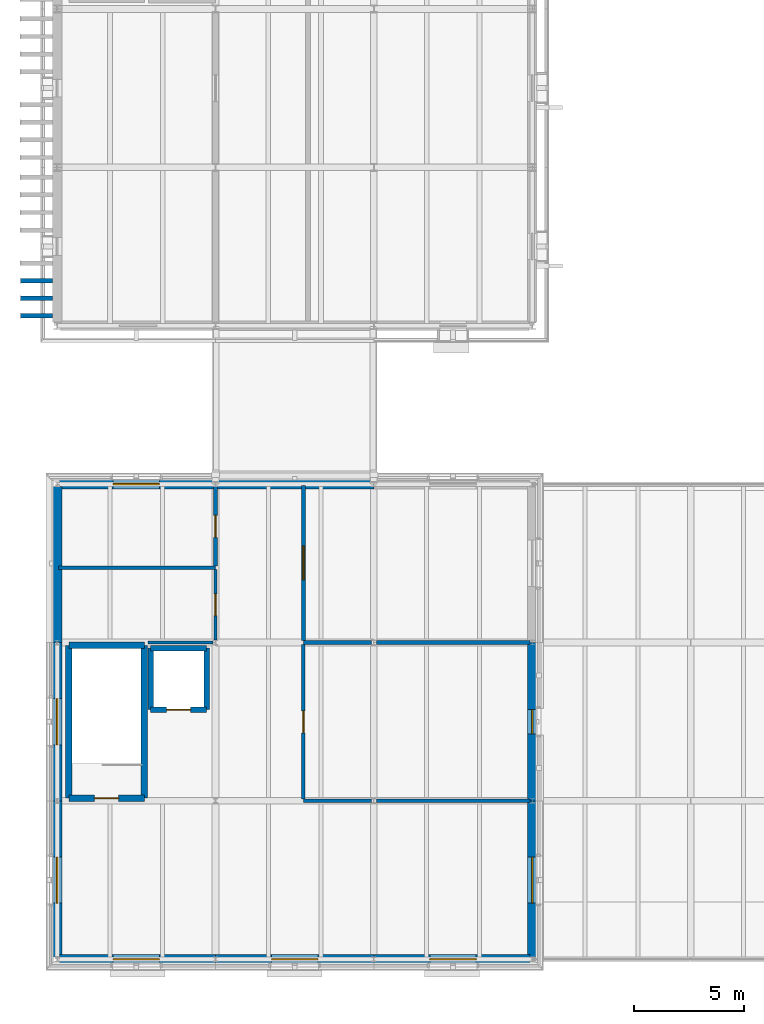
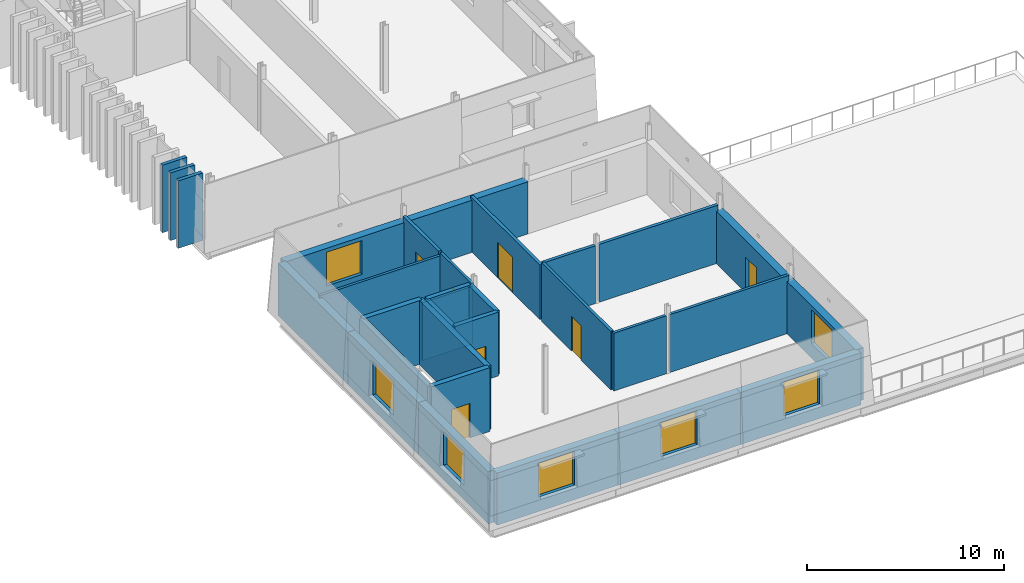
# One storey, part 65 of 115: 31 walls, 7 doors, 7 windows, 14 openings.
"""IFC4 building model written with IfcOpenShell, lengths in metres."""

import ifcopenshell
import ifcopenshell.guid

model = None  # the IFC model being written
_history = None  # IfcOwnerHistory: only IFC2X3 demands one
_inside = {}  # id of a spatial element -> (the spatial element, [elements in it])
_under = {}  # id of a project, library or spatial element -> (it, [spatial elements below it])
_declared = {}  # id of a project -> (the project, [libraries it declares])
_typed = {}  # id of a type object -> (the type object, [elements of that type])
_made_of = {}  # id of a material, layer set ... -> (it, [elements and type objects made of it])


def new_model(schema):
    """Start an empty IFC model of exactly this schema.

    Asked for "IFC4X3", IfcOpenShell would pick the latest addendum, in which some entities
    have other attributes; the version numbers below select the first issue.
    IFC2X3 requires an IfcOwnerHistory on every rooted entity: one is made here for all.
    """
    global model, _history
    if schema == "IFC4X3":
        model = ifcopenshell.file(schema_version=(4, 3, 0, 0))
    else:
        model = ifcopenshell.file(schema=schema)
    _inside.clear()
    _under.clear()
    _declared.clear()
    _typed.clear()
    _made_of.clear()
    _history = None
    if model.schema == "IFC2X3":
        org = make("IfcOrganization", Name="unknown")
        user = make(
            "IfcPersonAndOrganization",
            ThePerson=make("IfcPerson", FamilyName="unknown"),
            TheOrganization=org,
        )
        app = make(
            "IfcApplication",
            ApplicationDeveloper=org,
            Version="unknown",
            ApplicationFullName="unknown",
            ApplicationIdentifier="unknown",
        )
        _history = make(
            "IfcOwnerHistory",
            OwningUser=user,
            OwningApplication=app,
            ChangeAction="ADDED",
            CreationDate=0,
        )
    return model


def make(cls, **values):
    """One entity of the class cls with the attributes given. An attribute that is None is left unset."""
    return model.create_entity(
        cls, **{name: value for name, value in values.items() if value is not None}
    )


def rooted(cls, **values):
    """An entity with a GlobalId (a new one), such as an element, a storey or a relation."""
    return make(cls, GlobalId=ifcopenshell.guid.new(), OwnerHistory=_history, **values)


def si_unit(unit_type, name, prefix=None):
    """IfcSIUnit, for example si_unit("LENGTHUNIT", "METRE", prefix="MILLI")."""
    return make("IfcSIUnit", UnitType=unit_type, Prefix=prefix, Name=name)


def assignment(units):
    """IfcUnitAssignment: the units of a project."""
    return None if units is None else make("IfcUnitAssignment", Units=units)


def point(xyz):
    """IfcCartesianPoint."""
    return None if xyz is None else make("IfcCartesianPoint", Coordinates=xyz)


def direction(xyz):
    """IfcDirection."""
    return None if xyz is None else make("IfcDirection", DirectionRatios=xyz)


def frame(location, z_axis=None, x_axis=None):
    """IfcAxis2Placement3D, a coordinate frame: its origin and axes. An axis left out is left unset."""
    return make(
        "IfcAxis2Placement3D",
        Location=point(location),
        Axis=direction(z_axis),
        RefDirection=direction(x_axis),
    )


def frame_2d(location, x_axis=None):
    """IfcAxis2Placement2D, a coordinate frame in the plane: its origin and x axis."""
    return make(
        "IfcAxis2Placement2D", Location=point(location), RefDirection=direction(x_axis)
    )


def origin():
    """The frame at (0, 0, 0) with its axes left unset."""
    return frame((0.0, 0.0, 0.0))


def place(relative_to, where):
    """IfcLocalPlacement: puts the frame where relative to a parent placement (None: the world)."""
    return make(
        "IfcLocalPlacement", PlacementRelTo=relative_to, RelativePlacement=where
    )


def context(
    kind, dimensions, precision=None, world=None, true_north=None, identifier=None
):
    """IfcGeometricRepresentationContext, for example the 3D "Model" context."""
    return make(
        "IfcGeometricRepresentationContext",
        ContextIdentifier=identifier,
        ContextType=kind,
        CoordinateSpaceDimension=dimensions,
        Precision=precision,
        WorldCoordinateSystem=world,
        TrueNorth=true_north,
    )


def subcontext(parent, identifier, kind, view, scale=None):
    """IfcGeometricRepresentationSubContext, for example "Body" below "Model"."""
    return make(
        "IfcGeometricRepresentationSubContext",
        ContextIdentifier=identifier,
        ContextType=kind,
        ParentContext=parent,
        TargetScale=scale,
        TargetView=view,
    )


def project(units=None, contexts=None):
    """IfcProject with its units and contexts."""
    return rooted(
        "IfcProject",
        Name="project",
        RepresentationContexts=contexts,
        UnitsInContext=assignment(units),
    )


def spatial(cls, under=None, at=None, **own):
    """A site, building, storey or space (cls), placed at a placement, below another one or the project."""
    s = rooted(cls, ObjectPlacement=at, **own)
    if under is not None:
        _under.setdefault(under.id(), (under, []))[1].append(s)
    return s


def profile(cls, at=None, kind="AREA", **sizes):
    """A parametric profile (cls). Its sizes go by their IFC names, for example OverallWidth=200.0."""
    return make(cls, ProfileType=kind, Position=at, **sizes)


def rectangle(**sizes):
    """IfcRectangleProfileDef."""
    return profile("IfcRectangleProfileDef", **sizes)


def extrude(swept, where, along, depth):
    """IfcExtrudedAreaSolid: the profile swept, set in the frame where, extruded along a direction by depth."""
    return make(
        "IfcExtrudedAreaSolid",
        SweptArea=swept,
        Position=where,
        ExtrudedDirection=direction(along),
        Depth=depth,
    )


def shape(context_of_items, identifier, shape_type, items):
    """IfcShapeRepresentation: the items that make up one representation, for example the "Body"."""
    return make(
        "IfcShapeRepresentation",
        ContextOfItems=context_of_items,
        RepresentationIdentifier=identifier,
        RepresentationType=shape_type,
        Items=items,
    )


def material(Name=None, Category=None):
    """IfcMaterial."""
    return make("IfcMaterial", Name=Name, Category=Category)


def layer(
    of_material, thickness, ventilated=None, Name=None, Category=None, Priority=None
):
    """IfcMaterialLayer: one layer of a wall or slab, of a material (None: an air gap)."""
    return make(
        "IfcMaterialLayer",
        Material=of_material,
        LayerThickness=thickness,
        IsVentilated=ventilated,
        Name=Name,
        Category=Category,
        Priority=Priority,
    )


def layer_set(layers, Name=None):
    """IfcMaterialLayerSet."""
    return make("IfcMaterialLayerSet", MaterialLayers=layers, LayerSetName=Name)


def made_of(thing, what):
    """Note that an element or type object is made of a material, layer set ...; save() writes the relation."""
    if what is not None:
        _made_of.setdefault(what.id(), (what, []))[1].append(thing)
    return thing


def type_object(cls, material=None, **own):
    """A type object (cls), such as IfcWallType, which elements share."""
    return made_of(rooted(cls, **own), material)


def element(
    cls,
    number,
    at=None,
    inside=None,
    cuts=None,
    type_object=None,
    material=None,
    context=None,
    identifier="Body",
    shape_type=None,
    held_by="IfcProductDefinitionShape",
    body=None,
    shapes=None,
    **own,
):
    """One element of the class cls, such as IfcWall. Its Tag is "e" and its number.

    at: its placement. inside: the storey or other place that contains it. cuts: it is an
    opening in that element (IfcRelVoidsElement). A single representation is given by context,
    identifier, shape_type and body (its items); several are given by shapes. held_by: the class
    of the entity that holds the representations. save() writes the other relations.
    """
    e = rooted(cls, Tag="e%d" % number, ObjectPlacement=at, **own)
    if body is not None:
        shapes = [shape(context, identifier, shape_type, body)]
    if shapes is not None:
        e.Representation = make(held_by, Representations=shapes)
    if inside is not None:
        _inside.setdefault(inside.id(), (inside, []))[1].append(e)
    if cuts is not None:
        rooted(
            "IfcRelVoidsElement", RelatingBuildingElement=cuts, RelatedOpeningElement=e
        )
    if type_object is not None:
        _typed.setdefault(type_object.id(), (type_object, []))[1].append(e)
    return made_of(e, material)


def fill(opening, filler):
    """IfcRelFillsElement: the door or window that sits in an opening."""
    return rooted(
        "IfcRelFillsElement",
        RelatingOpeningElement=opening,
        RelatedBuildingElement=filler,
    )


def aggregate(whole, parts):
    """IfcRelAggregates: a whole, such as a stair, and the parts it consists of."""
    return rooted("IfcRelAggregates", RelatingObject=whole, RelatedObjects=parts)


def save(model, path):
    """Write the relations noted so far, then the file.

    IfcRelAggregates (storeys below a building ...), IfcRelContainedInSpatialStructure (elements
    in a storey), IfcRelDefinesByType, IfcRelAssociatesMaterial and IfcRelDeclares: one each for
    every whole, place, type object, material and project.
    """
    for whole, parts in _under.values():
        aggregate(whole, parts)
    for where, things in _inside.values():
        rooted(
            "IfcRelContainedInSpatialStructure",
            RelatedElements=things,
            RelatingStructure=where,
        )
    for kind, things in _typed.values():
        rooted("IfcRelDefinesByType", RelatedObjects=things, RelatingType=kind)
    for what, things in _made_of.values():
        rooted("IfcRelAssociatesMaterial", RelatedObjects=things, RelatingMaterial=what)
    for by, libraries in _declared.values():
        rooted("IfcRelDeclares", RelatingContext=by, RelatedDefinitions=libraries)
    model.write(path)


model = new_model("IFC4")

# Units and contexts
model_context = context("Model", 3, precision=1e-05, world=origin(), true_north=direction((0.0, 1.0)))
body_context = subcontext(model_context, "Body", "Model", "MODEL_VIEW")
ifc_project = project(units=[si_unit("LENGTHUNIT", "METRE"), si_unit("AREAUNIT", "SQUARE_METRE"), si_unit("VOLUMEUNIT", "CUBIC_METRE"), si_unit("PLANEANGLEUNIT", "RADIAN"), si_unit("MASSUNIT", "GRAM", prefix="KILO")], contexts=[model_context])

# Site, building, storey
site_placement = place(None, origin())
site = spatial("IfcSite", under=ifc_project, at=site_placement, CompositionType="ELEMENT")
building_placement = place(site_placement, origin())
building = spatial("IfcBuilding", under=site, at=building_placement, Name="Narikvali Park Central Library", CompositionType="ELEMENT")
storey_placement = place(building_placement, frame((0.0, 0.0, 10.199951171875)))
storey = spatial("IfcBuildingStorey", under=building, at=storey_placement, Name="L02", CompositionType="ELEMENT", Elevation=10.199951171875)

# Walls
ifc_material_1 = material(Name="Kiln-Fired Terracotta Red Brick Masonry", Category="masonry")
ifc_layer_1 = layer(ifc_material_1, 0.199951171875, Name="Kiln-Fired Terracotta Red Brick Masonry")
ifc_layer_set_1 = layer_set([ifc_layer_1], Name="Kiln-Fired Terracotta Red Brick Masonry")
wall_type_1 = type_object("IfcWallType", Name="Kiln-Fired Red Brick Vertical Fin Wall 200", PredefinedType="SOLIDWALL", material=ifc_layer_set_1)
for number, where, z_axis, x_axis, name in (
    (1, (-1.659912109375, 29.25, 0.0), (0.0, 0.0, 1.0), (1.0, 0.0, 0.0), "West Stacks Red Brick Vertical Fin Pier 003"),
    (2, (-1.659912109375, 30.050048828125, 0.0), (0.0, 0.0, 1.0), (1.0, 0.0, 0.0), "West Stacks Red Brick Vertical Fin Pier 007"),
    (3, (-1.659912109375, 30.85009765625, 0.0), (0.0, 0.0, 1.0), (1.0, 0.0, 0.0), "West Stacks Red Brick Vertical Fin Pier 011"),
):
    element("IfcWall", number, at=place(storey_placement, frame(where, z_axis=z_axis, x_axis=x_axis)), inside=storey, type_object=wall_type_1, Name=name, PredefinedType="SOLIDWALL", context=body_context, shape_type="SweptSolid", body=[
        extrude(rectangle(XDim=1.43994140625, YDim=0.199951171875, at=frame_2d((0.719970703125, 0.0))), origin(), (0.0, 0.0, 1.0), 4.199951171875),
    ])
ifc_material_2 = material(Name="Moisture-Resistant Cement Board on Steel Studs", Category="steel")
ifc_layer_2 = layer(ifc_material_2, 0.14990234375, Name="Moisture-Resistant Cement Board on Steel Studs")
ifc_layer_set_2 = layer_set([ifc_layer_2], Name="Moisture-Resistant Cement Board on Steel Studs")
wall_type_2 = type_object("IfcWallType", Name="Moisture-Resistant WC Partition 150", PredefinedType="PARTITIONING", material=ifc_layer_set_2)
wall_1_placement = place(storey_placement, frame((4.1220703125, 14.39990234375, 0.0), z_axis=(0.0, 0.0, 1.0), x_axis=(1.0, 0.0, 0.0)))
element("IfcWall", 4, at=wall_1_placement, inside=storey, type_object=wall_type_2, Name="Children Terrace Accessible WC L02 Partition S", PredefinedType="PARTITIONING", context=body_context, shape_type="SweptSolid", body=[
    extrude(rectangle(XDim=2.9638671875, YDim=0.14990234375, at=frame_2d((1.48193359375, 0.0))), origin(), (0.0, 0.0, 1.0), 3.594970703125),
])
wall_2_placement = place(storey_placement, frame((0.054931640625, 17.800048828125, 0.0), z_axis=(0.0, 0.0, 1.0), x_axis=(1.0, 0.0, 0.0)))
element("IfcWall", 5, at=wall_2_placement, inside=storey, type_object=wall_type_2, Name="Children Terrace Accessible WC L02 Partition N", PredefinedType="PARTITIONING", context=body_context, shape_type="SweptSolid", body=[
    extrude(rectangle(XDim=7.14501953125, YDim=0.14990234375, at=frame_2d((3.572509765625, 0.0))), origin(), (0.0, 0.0, 1.0), 3.39501953125),
])

# Wall, opening, door
wall_3_placement = place(storey_placement, frame((7.199951171875, 14.513916015625, 0.0), z_axis=(0.0, 0.0, 1.0), x_axis=(0.0, 1.0, 0.0)))
wall_3 = element("IfcWall", 6, at=wall_3_placement, inside=storey, type_object=wall_type_2, Name="Children Terrace Accessible WC L02 Partition E", PredefinedType="PARTITIONING", context=body_context, shape_type="SweptSolid", body=[
    extrude(rectangle(XDim=3.208984375, YDim=0.14990234375, at=frame_2d((1.6044921875, 0.0))), origin(), (0.0, 0.0, 1.0), 3.594970703125),
])
opening_1_placement = place(wall_3_placement, frame((1.114501953125, 0.0, 0.0)))
opening_1 = element("IfcOpeningElement", 7, at=opening_1_placement, cuts=wall_3, Name="Opening ID-0007", PredefinedType="OPENING", context=body_context, shape_type="SweptSolid", body=[
    extrude(rectangle(XDim=0.97998046875, YDim=2.10009765625, at=frame_2d((0.489990234375, 1.050048828125))), frame((0.0, 0.0869140625, 0.0), z_axis=(0.0, -1.0, 0.0), x_axis=(1.0, 0.0, 0.0)), (0.0, 0.0, 1.0), 0.173828125),
])
ifc_material_3 = material(Name="Laminate Faced Hardwood Core", Category="wood")
door_type_1 = type_object("IfcDoorType", Name="Accessible WC Outward-Opening Door 980x2100", OperationType="SINGLE_SWING_RIGHT", PredefinedType="DOOR", material=ifc_material_3)
door_1_placement = place(opening_1_placement, frame((0.97998046875, 0.0, 0.0), z_axis=(0.0, 0.0, 1.0), x_axis=(-1.0, 0.0, 0.0)))
door_1 = element("IfcDoor", 8, at=door_1_placement, inside=storey, type_object=door_type_1, Name="Children Terrace Accessible WC L02 Door ID-0007", OperationType="SINGLE_SWING_LEFT", OverallHeight=2.10009765625, OverallWidth=0.97998046875, PredefinedType="DOOR", context=body_context, shape_type="SweptSolid", body=[
    extrude(rectangle(XDim=0.97998046875, YDim=2.10009765625, at=frame_2d((0.489990234375, 1.050048828125))), frame((0.0, 0.02490234375, 0.0), z_axis=(0.0, -1.0, 0.0), x_axis=(1.0, 0.0, 0.0)), (0.0, 0.0, 1.0), 0.050048828125),
])
fill(opening_1, door_1)

# Walls
ifc_material_4 = material(Name="Acoustic Gypsum on Steel Studs", Category="steel")
ifc_layer_3 = layer(ifc_material_4, 0.179931640625, Name="Acoustic Gypsum on Steel Studs")
ifc_layer_set_3 = layer_set([ifc_layer_3], Name="Acoustic Gypsum on Steel Studs")
wall_type_3 = type_object("IfcWallType", Name="Reading Room Acoustic Partition 180", PredefinedType="PARTITIONING", material=ifc_layer_set_3)
wall_4_placement = place(storey_placement, frame((11.199951171875, 14.39990234375, 0.0), z_axis=(0.0, 0.0, 1.0), x_axis=(1.0, 0.0, 0.0)))
element("IfcWall", 9, at=wall_4_placement, inside=storey, type_object=wall_type_3, Name="Children Garden Reading Lounge Partition S", PredefinedType="PARTITIONING", context=body_context, shape_type="SweptSolid", body=[
    extrude(rectangle(XDim=3.0859375, YDim=0.179931640625, at=frame_2d((1.54296875, 0.0))), origin(), (0.0, 0.0, 1.0), 3.594970703125),
])
wall_5_placement = place(storey_placement, frame((14.513916015625, 14.39990234375, 0.0), z_axis=(0.0, 0.0, 1.0), x_axis=(1.0, 0.0, 0.0)))
element("IfcWall", 10, at=wall_5_placement, inside=storey, type_object=wall_type_3, Name="Children Garden Reading Lounge Partition S", PredefinedType="PARTITIONING", context=body_context, shape_type="SweptSolid", body=[
    extrude(rectangle(XDim=6.97216796875, YDim=0.179931640625, at=frame_2d((3.486083984375, 0.0))), origin(), (0.0, 0.0, 1.0), 3.594970703125),
])

# Wall, opening, door
wall_6_placement = place(storey_placement, frame((7.199951171875, 17.876953125, 0.0), z_axis=(0.0, 0.0, 1.0), x_axis=(0.0, 1.0, 0.0)))
wall_6 = element("IfcWall", 11, at=wall_6_placement, inside=storey, type_object=wall_type_3, Name="Terrace Cushion and Toy Store Partition E", PredefinedType="PARTITIONING", context=body_context, shape_type="SweptSolid", body=[
    extrude(rectangle(XDim=3.609130859375, YDim=0.179931640625, at=frame_2d((1.8046875, 0.0))), origin(), (0.0, 0.0, 1.0), 3.594970703125),
])
opening_2_placement = place(wall_6_placement, frame((1.304443359375, 0.0, 0.0)))
opening_2 = element("IfcOpeningElement", 12, at=opening_2_placement, cuts=wall_6, Name="Opening ID-0057", PredefinedType="OPENING", context=body_context, shape_type="SweptSolid", body=[
    extrude(rectangle(XDim=1.0, YDim=2.14990234375, at=frame_2d((0.5, 1.074951171875))), frame((0.0, 0.10205078125, 0.0), z_axis=(0.0, -1.0, 0.0), x_axis=(1.0, 0.0, 0.0)), (0.0, 0.0, 1.0), 0.203857421875),
])
ifc_material_5 = material(Name="Solid Caucasian Oak")
door_type_2 = type_object("IfcDoorType", Name="Study Room Single Oak Door 1000x2150", OperationType="SINGLE_SWING_LEFT", PredefinedType="DOOR", material=ifc_material_5)
door_2_placement = place(opening_2_placement, origin())
door_2 = element("IfcDoor", 13, at=door_2_placement, inside=storey, type_object=door_type_2, Name="Terrace Cushion and Toy Store Door ID-0057", OperationType="SINGLE_SWING_LEFT", OverallHeight=2.14990234375, OverallWidth=1.0, PredefinedType="DOOR", context=body_context, shape_type="SweptSolid", body=[
    extrude(rectangle(XDim=1.0, YDim=2.14990234375, at=frame_2d((0.5, 1.074951171875))), frame((0.0, 0.02490234375, 0.0), z_axis=(0.0, -1.0, 0.0), x_axis=(1.0, 0.0, 0.0)), (0.0, 0.0, 1.0), 0.050048828125),
])
fill(opening_2, door_2)

wall_7_placement = place(storey_placement, frame((11.199951171875, 14.491943359375, 0.0), z_axis=(0.0, 0.0, 1.0), x_axis=(0.0, 1.0, 0.0)))
wall_7 = element("IfcWall", 14, at=wall_7_placement, inside=storey, type_object=wall_type_3, Name="Children Garden Reading Lounge Partition W", PredefinedType="PARTITIONING", context=body_context, shape_type="SweptSolid", body=[
    extrude(rectangle(XDim=7.052978515625, YDim=0.179931640625, at=frame_2d((3.5263671875, 0.0))), origin(), (0.0, 0.0, 1.0), 3.39501953125),
])
opening_3_placement = place(wall_7_placement, frame((2.75146484375, 0.0, 0.0)))
opening_3 = element("IfcOpeningElement", 15, at=opening_3_placement, cuts=wall_7, Name="Opening ID-0058", PredefinedType="OPENING", context=body_context, shape_type="SweptSolid", body=[
    extrude(rectangle(XDim=1.550048828125, YDim=2.199951171875, at=frame_2d((0.77490234375, 1.10009765625))), frame((0.0, 0.10205078125, 0.0), z_axis=(0.0, -1.0, 0.0), x_axis=(1.0, 0.0, 0.0)), (0.0, 0.0, 1.0), 0.203857421875),
])
ifc_material_6 = material(Name="Caucasian Oak with Vision Panel")
door_type_3 = type_object("IfcDoorType", Name="Children Library Colourful Oak Door 1550x2200", OperationType="DOUBLE_DOOR_SINGLE_SWING", PredefinedType="DOOR", material=ifc_material_6)
door_3_placement = place(opening_3_placement, frame((1.550048828125, 0.0, 0.0), z_axis=(0.0, 0.0, 1.0), x_axis=(-1.0, 0.0, 0.0)))
door_3 = element("IfcDoor", 16, at=door_3_placement, inside=storey, type_object=door_type_3, Name="Children Garden Reading Lounge Door ID-0058", OperationType="DOUBLE_DOOR_SINGLE_SWING", OverallHeight=2.199951171875, OverallWidth=1.550048828125, PredefinedType="DOOR", context=body_context, shape_type="SweptSolid", body=[
    extrude(rectangle(XDim=1.550048828125, YDim=2.199951171875, at=frame_2d((0.77490234375, 1.10009765625))), frame((0.0, 0.02490234375, 0.0), z_axis=(0.0, -1.0, 0.0), x_axis=(1.0, 0.0, 0.0)), (0.0, 0.0, 1.0), 0.050048828125),
])
fill(opening_3, door_3)

ifc_material_7 = material(Name="Concrete C40/50", Category="concrete")
ifc_layer_4 = layer(ifc_material_7, 0.25, Name="Concrete C40/50")
ifc_layer_set_4 = layer_set([ifc_layer_4], Name="Concrete C40/50")
wall_type_4 = type_object("IfcWallType", Name="Reinforced Concrete Lift Shaft Wall 250", PredefinedType="SHEAR", material=ifc_layer_set_4)
wall_8_placement = place(storey_placement, frame((4.25, 11.35009765625, 0.0), z_axis=(0.0, 0.0, 1.0), x_axis=(1.0, 0.0, 0.0)))
wall_8 = element("IfcWall", 17, at=wall_8_placement, inside=storey, type_object=wall_type_4, Name="L-03 L02 Lift Shaft Wall S", PredefinedType="SHEAR", context=body_context, shape_type="SweptSolid", body=[
    extrude(rectangle(XDim=2.550048828125, YDim=0.25, at=frame_2d((1.27490234375, 0.0))), origin(), (0.0, 0.0, 1.0), 3.9599609375),
])
opening_4_placement = place(wall_8_placement, frame((0.72509765625, 0.0, 0.0)))
opening_4 = element("IfcOpeningElement", 18, at=opening_4_placement, cuts=wall_8, Name="Opening LD-013", PredefinedType="OPENING", context=body_context, shape_type="SweptSolid", body=[
    extrude(rectangle(XDim=1.10009765625, YDim=2.10009765625, at=frame_2d((0.550048828125, 1.050048828125))), frame((0.0, 0.136962890625, 0.0), z_axis=(0.0, -1.0, 0.0), x_axis=(1.0, 0.0, 0.0)), (0.0, 0.0, 1.0), 0.27392578125),
])
ifc_material_8 = material(Name="Brushed Stainless Steel S355", Category="steel")
door_type_4 = type_object("IfcDoorType", Name="Passenger Lift Sliding Landing Door 1100x2100", OperationType="SLIDING_TO_LEFT", PredefinedType="DOOR", material=ifc_material_8)
door_4_placement = place(opening_4_placement, origin())
door_4 = element("IfcDoor", 19, at=door_4_placement, inside=storey, type_object=door_type_4, Name="L-03 L02 Lift Landing Sliding Door LD-013", OperationType="SLIDING_TO_LEFT", OverallHeight=2.10009765625, OverallWidth=1.10009765625, PredefinedType="DOOR", context=body_context, shape_type="SweptSolid", body=[
    extrude(rectangle(XDim=1.10009765625, YDim=2.10009765625, at=frame_2d((0.550048828125, 1.050048828125))), frame((0.0, 0.02490234375, 0.0), z_axis=(0.0, -1.0, 0.0), x_axis=(1.0, 0.0, 0.0)), (0.0, 0.0, 1.0), 0.050048828125),
])
fill(opening_4, door_4)

# Walls
wall_9_placement = place(storey_placement, frame((6.800048828125, 11.35009765625, 0.0), z_axis=(0.0, 0.0, 1.0), x_axis=(0.0, 1.0, 0.0)))
element("IfcWall", 20, at=wall_9_placement, inside=storey, type_object=wall_type_4, Name="L-03 L02 Lift Shaft Wall E", PredefinedType="SHEAR", context=body_context, shape_type="SweptSolid", body=[
    extrude(rectangle(XDim=2.7998046875, YDim=0.25, at=frame_2d((1.39990234375, 0.0))), origin(), (0.0, 0.0, 1.0), 3.9599609375),
])
wall_10_placement = place(storey_placement, frame((6.800048828125, 14.14990234375, 0.0), z_axis=(0.0, 0.0, 1.0), x_axis=(-1.0, 0.0, 0.0)))
element("IfcWall", 21, at=wall_10_placement, inside=storey, type_object=wall_type_4, Name="L-03 L02 Lift Shaft Wall N", PredefinedType="SHEAR", context=body_context, shape_type="SweptSolid", body=[
    extrude(rectangle(XDim=2.550048828125, YDim=0.25, at=frame_2d((1.27490234375, 0.0))), origin(), (0.0, 0.0, 1.0), 3.9599609375),
])
wall_11_placement = place(storey_placement, frame((4.25, 14.14990234375, 0.0), z_axis=(0.0, 0.0, 1.0), x_axis=(0.0, -1.0, 0.0)))
element("IfcWall", 22, at=wall_11_placement, inside=storey, type_object=wall_type_4, Name="L-03 L02 Lift Shaft Wall W", PredefinedType="SHEAR", context=body_context, shape_type="SweptSolid", body=[
    extrude(rectangle(XDim=2.7998046875, YDim=0.25, at=frame_2d((1.39990234375, 0.0))), origin(), (0.0, 0.0, 1.0), 3.9599609375),
])

# Wall, opening, door
ifc_layer_5 = layer(ifc_material_7, 0.300048828125, Name="Concrete C40/50")
ifc_layer_set_5 = layer_set([ifc_layer_5], Name="Concrete C40/50")
wall_type_5 = type_object("IfcWallType", Name="Reinforced Concrete Shear Wall 300", PredefinedType="SHEAR", material=ifc_layer_set_5)
wall_12_placement = place(storey_placement, frame((0.530029296875, 7.330078125, 0.0), z_axis=(0.0, 0.0, 1.0), x_axis=(1.0, 0.0, 0.0)))
wall_12 = element("IfcWall", 23, at=wall_12_placement, inside=storey, type_object=wall_type_5, Name="C2A L02 Stair Core Shear Wall S", PredefinedType="SHEAR", context=body_context, shape_type="SweptSolid", body=[
    extrude(rectangle(XDim=3.43994140625, YDim=0.300048828125, at=frame_2d((1.719970703125, 0.0))), origin(), (0.0, 0.0, 1.0), 3.9599609375),
])
opening_5_placement = place(wall_12_placement, frame((1.169921875, 0.0, 0.0)))
opening_5 = element("IfcOpeningElement", 24, at=opening_5_placement, cuts=wall_12, Name="Opening SD-013", PredefinedType="OPENING", context=body_context, shape_type="SweptSolid", body=[
    extrude(rectangle(XDim=1.10009765625, YDim=2.14990234375, at=frame_2d((0.550048828125, 1.074951171875))), frame((0.0, 0.162109375, 0.0), z_axis=(0.0, -1.0, 0.0), x_axis=(1.0, 0.0, 0.0)), (0.0, 0.0, 1.0), 0.323974609375),
])
ifc_material_9 = material(Name="Powder-Coated Steel S275 Fire Leaf", Category="steel")
door_type_5 = type_object("IfcDoorType", Name="Stair Core Smoke-Control Fire Door 1100x2150", OperationType="SINGLE_SWING_LEFT", PredefinedType="DOOR", material=ifc_material_9)
door_5_placement = place(opening_5_placement, frame((1.10009765625, 0.0, 0.0), z_axis=(0.0, 0.0, 1.0), x_axis=(-1.0, 0.0, 0.0)))
door_5 = element("IfcDoor", 25, at=door_5_placement, inside=storey, type_object=door_type_5, Name="ST-03 L02 Stair Exit Door SD-013", OperationType="SINGLE_SWING_LEFT", OverallHeight=2.14990234375, OverallWidth=1.10009765625, PredefinedType="DOOR", context=body_context, shape_type="SweptSolid", body=[
    extrude(rectangle(XDim=1.10009765625, YDim=2.14990234375, at=frame_2d((0.550048828125, 1.074951171875))), frame((0.0, 0.02490234375, 0.0), z_axis=(0.0, -1.0, 0.0), x_axis=(1.0, 0.0, 0.0)), (0.0, 0.0, 1.0), 0.050048828125),
])
fill(opening_5, door_5)

# Walls
wall_13_placement = place(storey_placement, frame((3.969970703125, 7.330078125, 0.0), z_axis=(0.0, 0.0, 1.0), x_axis=(0.0, 1.0, 0.0)))
element("IfcWall", 26, at=wall_13_placement, inside=storey, type_object=wall_type_5, Name="C2A L02 Stair Core Shear Wall E", PredefinedType="SHEAR", context=body_context, shape_type="SweptSolid", body=[
    extrude(rectangle(XDim=6.93994140625, YDim=0.300048828125, at=frame_2d((3.469970703125, 0.0))), origin(), (0.0, 0.0, 1.0), 3.9599609375),
])
wall_14_placement = place(storey_placement, frame((3.969970703125, 14.27001953125, 0.0), z_axis=(0.0, 0.0, 1.0), x_axis=(-1.0, 0.0, 0.0)))
element("IfcWall", 27, at=wall_14_placement, inside=storey, type_object=wall_type_5, Name="C2A L02 Stair Core Shear Wall N", PredefinedType="SHEAR", context=body_context, shape_type="SweptSolid", body=[
    extrude(rectangle(XDim=3.43994140625, YDim=0.300048828125, at=frame_2d((1.719970703125, 0.0))), origin(), (0.0, 0.0, 1.0), 3.9599609375),
])
wall_15_placement = place(storey_placement, frame((0.530029296875, 14.27001953125, 0.0), z_axis=(0.0, 0.0, 1.0), x_axis=(0.0, -1.0, 0.0)))
element("IfcWall", 28, at=wall_15_placement, inside=storey, type_object=wall_type_5, Name="C2A L02 Stair Core Shear Wall W", PredefinedType="SHEAR", context=body_context, shape_type="SweptSolid", body=[
    extrude(rectangle(XDim=6.93994140625, YDim=0.300048828125, at=frame_2d((3.469970703125, 0.0))), origin(), (0.0, 0.0, 1.0), 3.9599609375),
])
ifc_material_10 = material(Name="Gypsum Board on Galvanised Steel Studs", Category="steel")
ifc_layer_6 = layer(ifc_material_10, 0.159912109375, Name="Gypsum Board on Galvanised Steel Studs")
ifc_layer_set_6 = layer_set([ifc_layer_6], Name="Gypsum Board on Galvanised Steel Studs")
wall_type_6 = type_object("IfcWallType", Name="Study Room Partition Wall 160", PredefinedType="PARTITIONING", material=ifc_layer_set_6)
wall_16_placement = place(storey_placement, frame((11.199951171875, 7.199951171875, 0.0), z_axis=(0.0, 0.0, 1.0), x_axis=(1.0, 0.0, 0.0)))
element("IfcWall", 29, at=wall_16_placement, inside=storey, type_object=wall_type_6, Name="Junior Quiet Study and Chess Room Partition S", PredefinedType="PARTITIONING", context=body_context, shape_type="SweptSolid", body=[
    extrude(rectangle(XDim=3.0859375, YDim=0.159912109375, at=frame_2d((1.54296875, 0.0))), origin(), (0.0, 0.0, 1.0), 3.594970703125),
])
wall_17_placement = place(storey_placement, frame((14.513916015625, 7.199951171875, 0.0), z_axis=(0.0, 0.0, 1.0), x_axis=(1.0, 0.0, 0.0)))
element("IfcWall", 30, at=wall_17_placement, inside=storey, type_object=wall_type_6, Name="Junior Quiet Study and Chess Room Partition S", PredefinedType="PARTITIONING", context=body_context, shape_type="SweptSolid", body=[
    extrude(rectangle(XDim=6.97216796875, YDim=0.159912109375, at=frame_2d((3.486083984375, 0.0))), origin(), (0.0, 0.0, 1.0), 3.594970703125),
])

# Wall, opening, door
wall_18_placement = place(storey_placement, frame((11.199951171875, 7.281982421875, 0.0), z_axis=(0.0, 0.0, 1.0), x_axis=(0.0, 1.0, 0.0)))
wall_18 = element("IfcWall", 31, at=wall_18_placement, inside=storey, type_object=wall_type_6, Name="Junior Quiet Study and Chess Room Partition W", PredefinedType="PARTITIONING", context=body_context, shape_type="SweptSolid", body=[
    extrude(rectangle(XDim=7.026123046875, YDim=0.159912109375, at=frame_2d((3.51318359375, 0.0))), origin(), (0.0, 0.0, 1.0), 3.64501953125),
])
opening_6_placement = place(wall_18_placement, frame((3.012939453125, 0.0, 0.0)))
opening_6 = element("IfcOpeningElement", 32, at=opening_6_placement, cuts=wall_18, Name="Opening ID-0059", PredefinedType="OPENING", context=body_context, shape_type="SweptSolid", body=[
    extrude(rectangle(XDim=1.0, YDim=2.14990234375, at=frame_2d((0.5, 1.074951171875))), frame((0.0, 0.091796875, 0.0), z_axis=(0.0, -1.0, 0.0), x_axis=(1.0, 0.0, 0.0)), (0.0, 0.0, 1.0), 0.183837890625),
])
door_6_placement = place(opening_6_placement, frame((1.0, 0.0, 0.0), z_axis=(0.0, 0.0, 1.0), x_axis=(-1.0, 0.0, 0.0)))
door_6 = element("IfcDoor", 33, at=door_6_placement, inside=storey, type_object=door_type_2, Name="Junior Quiet Study and Chess Room Door ID-0059", OperationType="SINGLE_SWING_LEFT", OverallHeight=2.14990234375, OverallWidth=1.0, PredefinedType="DOOR", context=body_context, shape_type="SweptSolid", body=[
    extrude(rectangle(XDim=1.0, YDim=2.14990234375, at=frame_2d((0.5, 1.074951171875))), frame((0.0, 0.02490234375, 0.0), z_axis=(0.0, -1.0, 0.0), x_axis=(1.0, 0.0, 0.0)), (0.0, 0.0, 1.0), 0.050048828125),
])
fill(opening_6, door_6)

# Wall, opening, window
ifc_material_11 = material(Name="White Honed Limestone over Concrete C35/45", Category="masonry")
ifc_layer_7 = layer(ifc_material_11, 0.43994140625, Name="White Honed Limestone over Concrete C35/45")
ifc_layer_set_7 = layer_set([ifc_layer_7], Name="White Honed Limestone over Concrete C35/45")
wall_type_7 = type_object("IfcWallType", Name="White Limestone Battered Tier2 Wall 440", PredefinedType="SOLIDWALL", material=ifc_layer_set_7)
wall_19_placement = place(storey_placement, frame((0.114013671875, 0.0, 0.0), z_axis=(0.0, 0.0, 1.0), x_axis=(1.0, 0.0, 0.0)))
wall_19 = element("IfcWall", 34, at=wall_19_placement, inside=storey, type_object=wall_type_7, Name="V2 L02 S Exterior Limestone Wall B01", PredefinedType="SOLIDWALL", context=body_context, shape_type="SweptSolid", body=[
    extrude(rectangle(XDim=7.0859375, YDim=0.43994140625, at=frame_2d((3.54296875, 0.0))), origin(), (0.0, 0.0, 1.0), 3.239990234375),
])
opening_7_placement = place(wall_19_placement, frame((2.43603515625, 0.0, 0.89990234375)))
opening_7 = element("IfcOpeningElement", 35, at=opening_7_placement, cuts=wall_19, Name="Opening WIN-0067", PredefinedType="OPENING", context=body_context, shape_type="SweptSolid", body=[
    extrude(rectangle(XDim=2.10009765625, YDim=2.10009765625, at=frame_2d((1.050048828125, 1.050048828125))), frame((0.0, 0.23193359375, 0.0), z_axis=(0.0, -1.0, 0.0), x_axis=(1.0, 0.0, 0.0)), (0.0, 0.0, 1.0), 0.4638671875),
])
ifc_material_12 = material(Name="Anodised Bronze Aluminium and Low-E Triple Glazing", Category="aluminium")
window_type = type_object("IfcWindowType", Name="Children Pavilion Garden Window 2100x2100", PartitioningType="TRIPLE_PANEL_VERTICAL", PredefinedType="WINDOW", material=ifc_material_12)
window_1_placement = place(opening_7_placement, origin())
window_1 = element("IfcWindow", 36, at=window_1_placement, inside=storey, type_object=window_type, Name="V2 L02 S Deep-Reveal Window WIN-0067", OverallHeight=2.10009765625, OverallWidth=2.10009765625, PartitioningType="SINGLE_PANEL", PredefinedType="WINDOW", context=body_context, shape_type="SweptSolid", body=[
    extrude(rectangle(XDim=2.10009765625, YDim=2.10009765625, at=frame_2d((1.050048828125, 1.050048828125))), frame((0.0, 0.030029296875, 0.0), z_axis=(0.0, -1.0, 0.0), x_axis=(1.0, 0.0, 0.0)), (0.0, 0.0, 1.0), 0.06005859375),
])
fill(opening_7, window_1)

wall_20_placement = place(storey_placement, frame((7.199951171875, 0.0, 0.0), z_axis=(0.0, 0.0, 1.0), x_axis=(1.0, 0.0, 0.0)))
wall_20 = element("IfcWall", 37, at=wall_20_placement, inside=storey, type_object=wall_type_7, Name="V2 L02 S Exterior Limestone Wall B02", PredefinedType="SOLIDWALL", context=body_context, shape_type="SweptSolid", body=[
    extrude(rectangle(XDim=7.199951171875, YDim=0.43994140625, at=frame_2d((3.60009765625, 0.0))), origin(), (0.0, 0.0, 1.0), 3.239990234375),
])
opening_8_placement = place(wall_20_placement, frame((2.550048828125, 0.0, 0.89990234375)))
opening_8 = element("IfcOpeningElement", 38, at=opening_8_placement, cuts=wall_20, Name="Opening WIN-0068", PredefinedType="OPENING", context=body_context, shape_type="SweptSolid", body=[
    extrude(rectangle(XDim=2.10009765625, YDim=2.10009765625, at=frame_2d((1.050048828125, 1.050048828125))), frame((0.0, 0.23193359375, 0.0), z_axis=(0.0, -1.0, 0.0), x_axis=(1.0, 0.0, 0.0)), (0.0, 0.0, 1.0), 0.4638671875),
])
window_2_placement = place(opening_8_placement, origin())
window_2 = element("IfcWindow", 39, at=window_2_placement, inside=storey, type_object=window_type, Name="V2 L02 S Deep-Reveal Window WIN-0068", OverallHeight=2.10009765625, OverallWidth=2.10009765625, PartitioningType="SINGLE_PANEL", PredefinedType="WINDOW", context=body_context, shape_type="SweptSolid", body=[
    extrude(rectangle(XDim=2.10009765625, YDim=2.10009765625, at=frame_2d((1.050048828125, 1.050048828125))), frame((0.0, 0.030029296875, 0.0), z_axis=(0.0, -1.0, 0.0), x_axis=(1.0, 0.0, 0.0)), (0.0, 0.0, 1.0), 0.06005859375),
])
fill(opening_8, window_2)

wall_21_placement = place(storey_placement, frame((14.39990234375, 0.0, 0.0), z_axis=(0.0, 0.0, 1.0), x_axis=(1.0, 0.0, 0.0)))
wall_21 = element("IfcWall", 40, at=wall_21_placement, inside=storey, type_object=wall_type_7, Name="V2 L02 S Exterior Limestone Wall B03", PredefinedType="SOLIDWALL", context=body_context, shape_type="SweptSolid", body=[
    extrude(rectangle(XDim=7.086181640625, YDim=0.43994140625, at=frame_2d((3.54296875, 0.0))), origin(), (0.0, 0.0, 1.0), 3.239990234375),
])
opening_9_placement = place(wall_21_placement, frame((2.550048828125, 0.0, 0.89990234375)))
opening_9 = element("IfcOpeningElement", 41, at=opening_9_placement, cuts=wall_21, Name="Opening WIN-0069", PredefinedType="OPENING", context=body_context, shape_type="SweptSolid", body=[
    extrude(rectangle(XDim=2.10009765625, YDim=2.10009765625, at=frame_2d((1.050048828125, 1.050048828125))), frame((0.0, 0.23193359375, 0.0), z_axis=(0.0, -1.0, 0.0), x_axis=(1.0, 0.0, 0.0)), (0.0, 0.0, 1.0), 0.4638671875),
])
window_3_placement = place(opening_9_placement, origin())
window_3 = element("IfcWindow", 42, at=window_3_placement, inside=storey, type_object=window_type, Name="V2 L02 S Deep-Reveal Window WIN-0069", OverallHeight=2.10009765625, OverallWidth=2.10009765625, PartitioningType="SINGLE_PANEL", PredefinedType="WINDOW", context=body_context, shape_type="SweptSolid", body=[
    extrude(rectangle(XDim=2.10009765625, YDim=2.10009765625, at=frame_2d((1.050048828125, 1.050048828125))), frame((0.0, 0.030029296875, 0.0), z_axis=(0.0, -1.0, 0.0), x_axis=(1.0, 0.0, 0.0)), (0.0, 0.0, 1.0), 0.06005859375),
])
fill(opening_9, window_3)

wall_22_placement = place(storey_placement, frame((21.60009765625, 0.114013671875, 0.0), z_axis=(0.0, 0.0, 1.0), x_axis=(0.0, 1.0, 0.0)))
wall_22 = element("IfcWall", 43, at=wall_22_placement, inside=storey, type_object=wall_type_7, Name="V2 L02 E Exterior Limestone Wall B01", PredefinedType="SOLIDWALL", context=body_context, shape_type="SweptSolid", body=[
    extrude(rectangle(XDim=7.0859375, YDim=0.43994140625, at=frame_2d((3.54296875, 0.0))), origin(), (0.0, 0.0, 1.0), 3.239990234375),
])
opening_10_placement = place(wall_22_placement, frame((2.43603515625, 0.0, 0.89990234375)))
opening_10 = element("IfcOpeningElement", 44, at=opening_10_placement, cuts=wall_22, Name="Opening WIN-0070", PredefinedType="OPENING", context=body_context, shape_type="SweptSolid", body=[
    extrude(rectangle(XDim=2.10009765625, YDim=2.10009765625, at=frame_2d((1.050048828125, 1.050048828125))), frame((0.0, 0.23193359375, 0.0), z_axis=(0.0, -1.0, 0.0), x_axis=(1.0, 0.0, 0.0)), (0.0, 0.0, 1.0), 0.4638671875),
])
window_4_placement = place(opening_10_placement, origin())
window_4 = element("IfcWindow", 45, at=window_4_placement, inside=storey, type_object=window_type, Name="V2 L02 E Deep-Reveal Window WIN-0070", OverallHeight=2.10009765625, OverallWidth=2.10009765625, PartitioningType="SINGLE_PANEL", PredefinedType="WINDOW", context=body_context, shape_type="SweptSolid", body=[
    extrude(rectangle(XDim=2.10009765625, YDim=2.10009765625, at=frame_2d((1.050048828125, 1.050048828125))), frame((0.0, 0.030029296875, 0.0), z_axis=(0.0, -1.0, 0.0), x_axis=(1.0, 0.0, 0.0)), (0.0, 0.0, 1.0), 0.06005859375),
])
fill(opening_10, window_4)

# Wall, opening, door
wall_23_placement = place(storey_placement, frame((21.60009765625, 7.199951171875, 0.0), z_axis=(0.0, 0.0, 1.0), x_axis=(0.0, 1.0, 0.0)))
wall_23 = element("IfcWall", 46, at=wall_23_placement, inside=storey, type_object=wall_type_7, Name="V2 L02 E Exterior Limestone Wall B02", PredefinedType="SOLIDWALL", context=body_context, shape_type="SweptSolid", body=[
    extrude(rectangle(XDim=7.199951171875, YDim=0.43994140625, at=frame_2d((3.60009765625, 0.0))), origin(), (0.0, 0.0, 1.0), 3.239990234375),
])
opening_11_placement = place(wall_23_placement, frame((3.050048828125, 0.0, 0.0)))
opening_11 = element("IfcOpeningElement", 47, at=opening_11_placement, cuts=wall_23, Name="Opening ED-017", PredefinedType="OPENING", context=body_context, shape_type="SweptSolid", body=[
    extrude(rectangle(XDim=1.10009765625, YDim=2.199951171875, at=frame_2d((0.550048828125, 1.10009765625))), frame((0.0, 0.23193359375, 0.0), z_axis=(0.0, -1.0, 0.0), x_axis=(1.0, 0.0, 0.0)), (0.0, 0.0, 1.0), 0.4638671875),
])
ifc_material_13 = material(Name="Anodised Architectural Bronze and Tempered Glass", Category="glass")
door_type_6 = type_object("IfcDoorType", Name="Roof Garden Terrace Glazed Door 1100x2200", OperationType="SINGLE_SWING_LEFT", PredefinedType="DOOR", material=ifc_material_13)
door_7_placement = place(opening_11_placement, frame((1.10009765625, 0.0, 0.0), z_axis=(0.0, 0.0, 1.0), x_axis=(-1.0, 0.0, 0.0)))
door_7 = element("IfcDoor", 48, at=door_7_placement, inside=storey, type_object=door_type_6, Name="V2 L02 Planted Roof Garden Access Door ED-017", OperationType="SINGLE_SWING_LEFT", OverallHeight=2.199951171875, OverallWidth=1.10009765625, PredefinedType="DOOR", context=body_context, shape_type="SweptSolid", body=[
    extrude(rectangle(XDim=1.10009765625, YDim=2.199951171875, at=frame_2d((0.550048828125, 1.10009765625))), frame((0.0, 0.02490234375, 0.0), z_axis=(0.0, -1.0, 0.0), x_axis=(1.0, 0.0, 0.0)), (0.0, 0.0, 1.0), 0.050048828125),
])
fill(opening_11, door_7)

# Wall
wall_24_placement = place(storey_placement, frame((14.39990234375, 21.60009765625, 0.0), z_axis=(0.0, 0.0, 1.0), x_axis=(-1.0, 0.0, 0.0)))
element("IfcWall", 49, at=wall_24_placement, inside=storey, type_object=wall_type_7, Name="V2 L02 N Exterior Limestone Wall B02", PredefinedType="SOLIDWALL", context=body_context, shape_type="SweptSolid", body=[
    extrude(rectangle(XDim=7.199951171875, YDim=0.43994140625, at=frame_2d((3.60009765625, 0.0))), origin(), (0.0, 0.0, 1.0), 3.239990234375),
])

# Wall, opening, window
wall_25_placement = place(storey_placement, frame((7.199951171875, 21.60009765625, 0.0), z_axis=(0.0, 0.0, 1.0), x_axis=(-1.0, 0.0, 0.0)))
wall_25 = element("IfcWall", 50, at=wall_25_placement, inside=storey, type_object=wall_type_7, Name="V2 L02 N Exterior Limestone Wall B03", PredefinedType="SOLIDWALL", context=body_context, shape_type="SweptSolid", body=[
    extrude(rectangle(XDim=7.0859375, YDim=0.43994140625, at=frame_2d((3.54296875, 0.0))), origin(), (0.0, 0.0, 1.0), 3.239990234375),
])
opening_12_placement = place(wall_25_placement, frame((2.550048828125, 0.0, 0.89990234375)))
opening_12 = element("IfcOpeningElement", 51, at=opening_12_placement, cuts=wall_25, Name="Opening WIN-0073", PredefinedType="OPENING", context=body_context, shape_type="SweptSolid", body=[
    extrude(rectangle(XDim=2.10009765625, YDim=2.10009765625, at=frame_2d((1.050048828125, 1.050048828125))), frame((0.0, 0.23193359375, 0.0), z_axis=(0.0, -1.0, 0.0), x_axis=(1.0, 0.0, 0.0)), (0.0, 0.0, 1.0), 0.4638671875),
])
window_5_placement = place(opening_12_placement, origin())
window_5 = element("IfcWindow", 52, at=window_5_placement, inside=storey, type_object=window_type, Name="V2 L02 N Deep-Reveal Window WIN-0073", OverallHeight=2.10009765625, OverallWidth=2.10009765625, PartitioningType="SINGLE_PANEL", PredefinedType="WINDOW", context=body_context, shape_type="SweptSolid", body=[
    extrude(rectangle(XDim=2.10009765625, YDim=2.10009765625, at=frame_2d((1.050048828125, 1.050048828125))), frame((0.0, 0.030029296875, 0.0), z_axis=(0.0, -1.0, 0.0), x_axis=(1.0, 0.0, 0.0)), (0.0, 0.0, 1.0), 0.06005859375),
])
fill(opening_12, window_5)

# Wall
wall_26_placement = place(storey_placement, frame((0.0, 21.486083984375, 0.0), z_axis=(0.0, 0.0, 1.0), x_axis=(0.0, -1.0, 0.0)))
element("IfcWall", 53, at=wall_26_placement, inside=storey, type_object=wall_type_7, Name="V2 L02 W Exterior Limestone Wall B01", PredefinedType="SOLIDWALL", context=body_context, shape_type="SweptSolid", body=[
    extrude(rectangle(XDim=7.086181640625, YDim=0.43994140625, at=frame_2d((3.54296875, 0.0))), origin(), (0.0, 0.0, 1.0), 3.239990234375),
])

# Wall, opening, window
wall_27_placement = place(storey_placement, frame((0.0, 14.39990234375, 0.0), z_axis=(0.0, 0.0, 1.0), x_axis=(0.0, -1.0, 0.0)))
wall_27 = element("IfcWall", 54, at=wall_27_placement, inside=storey, type_object=wall_type_7, Name="V2 L02 W Exterior Limestone Wall B02", PredefinedType="SOLIDWALL", context=body_context, shape_type="SweptSolid", body=[
    extrude(rectangle(XDim=7.199951171875, YDim=0.43994140625, at=frame_2d((3.60009765625, 0.0))), origin(), (0.0, 0.0, 1.0), 3.239990234375),
])
opening_13_placement = place(wall_27_placement, frame((2.550048828125, 0.0, 0.89990234375)))
opening_13 = element("IfcOpeningElement", 55, at=opening_13_placement, cuts=wall_27, Name="Opening WIN-0074", PredefinedType="OPENING", context=body_context, shape_type="SweptSolid", body=[
    extrude(rectangle(XDim=2.10009765625, YDim=2.10009765625, at=frame_2d((1.050048828125, 1.050048828125))), frame((0.0, 0.23193359375, 0.0), z_axis=(0.0, -1.0, 0.0), x_axis=(1.0, 0.0, 0.0)), (0.0, 0.0, 1.0), 0.4638671875),
])
window_6_placement = place(opening_13_placement, origin())
window_6 = element("IfcWindow", 56, at=window_6_placement, inside=storey, type_object=window_type, Name="V2 L02 W Deep-Reveal Window WIN-0074", OverallHeight=2.10009765625, OverallWidth=2.10009765625, PartitioningType="SINGLE_PANEL", PredefinedType="WINDOW", context=body_context, shape_type="SweptSolid", body=[
    extrude(rectangle(XDim=2.10009765625, YDim=2.10009765625, at=frame_2d((1.050048828125, 1.050048828125))), frame((0.0, 0.030029296875, 0.0), z_axis=(0.0, -1.0, 0.0), x_axis=(1.0, 0.0, 0.0)), (0.0, 0.0, 1.0), 0.06005859375),
])
fill(opening_13, window_6)

wall_28_placement = place(storey_placement, frame((0.0, 7.199951171875, 0.0), z_axis=(0.0, 0.0, 1.0), x_axis=(0.0, -1.0, 0.0)))
wall_28 = element("IfcWall", 57, at=wall_28_placement, inside=storey, type_object=wall_type_7, Name="V2 L02 W Exterior Limestone Wall B03", PredefinedType="SOLIDWALL", context=body_context, shape_type="SweptSolid", body=[
    extrude(rectangle(XDim=7.0859375, YDim=0.43994140625, at=frame_2d((3.54296875, 0.0))), origin(), (0.0, 0.0, 1.0), 3.239990234375),
])
opening_14_placement = place(wall_28_placement, frame((2.550048828125, 0.0, 0.89990234375)))
opening_14 = element("IfcOpeningElement", 58, at=opening_14_placement, cuts=wall_28, Name="Opening WIN-0075", PredefinedType="OPENING", context=body_context, shape_type="SweptSolid", body=[
    extrude(rectangle(XDim=2.10009765625, YDim=2.10009765625, at=frame_2d((1.050048828125, 1.050048828125))), frame((0.0, 0.23193359375, 0.0), z_axis=(0.0, -1.0, 0.0), x_axis=(1.0, 0.0, 0.0)), (0.0, 0.0, 1.0), 0.4638671875),
])
window_7_placement = place(opening_14_placement, origin())
window_7 = element("IfcWindow", 59, at=window_7_placement, inside=storey, type_object=window_type, Name="V2 L02 W Deep-Reveal Window WIN-0075", OverallHeight=2.10009765625, OverallWidth=2.10009765625, PartitioningType="SINGLE_PANEL", PredefinedType="WINDOW", context=body_context, shape_type="SweptSolid", body=[
    extrude(rectangle(XDim=2.10009765625, YDim=2.10009765625, at=frame_2d((1.050048828125, 1.050048828125))), frame((0.0, 0.030029296875, 0.0), z_axis=(0.0, -1.0, 0.0), x_axis=(1.0, 0.0, 0.0)), (0.0, 0.0, 1.0), 0.06005859375),
])
fill(opening_14, window_7)

save(model, "model.ifc")
